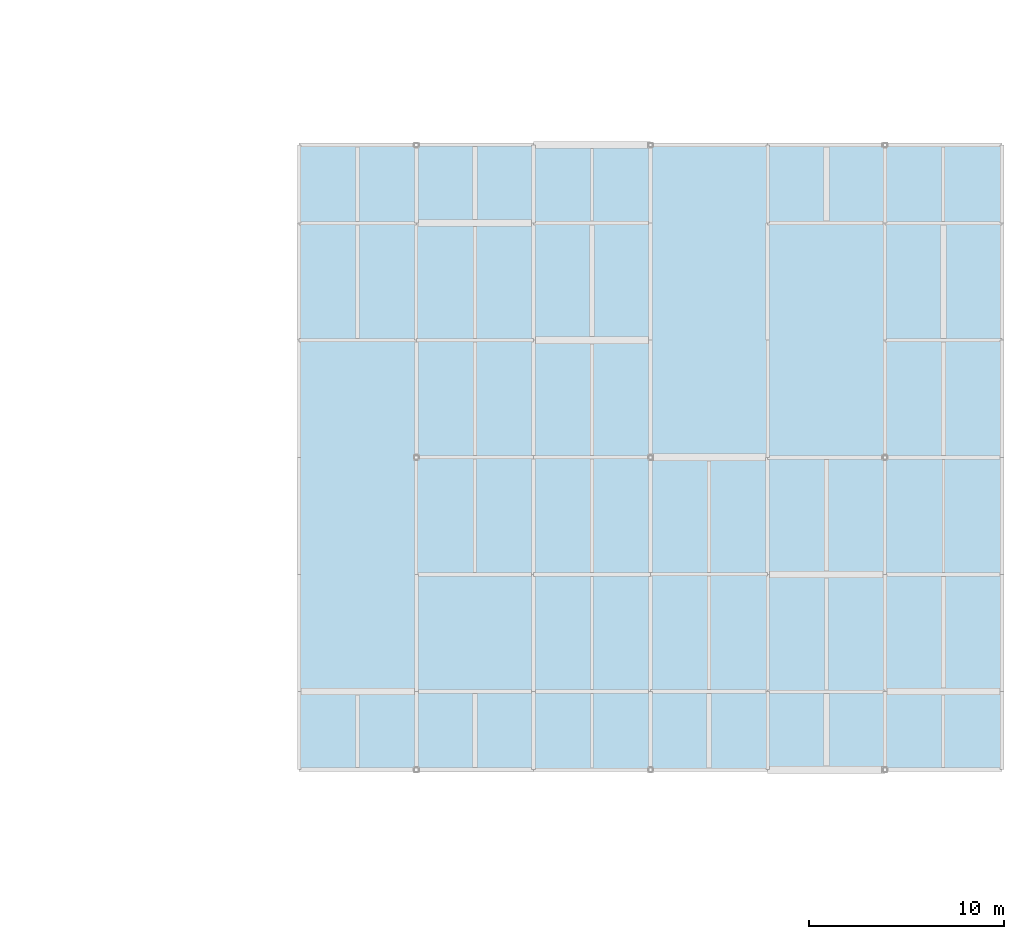
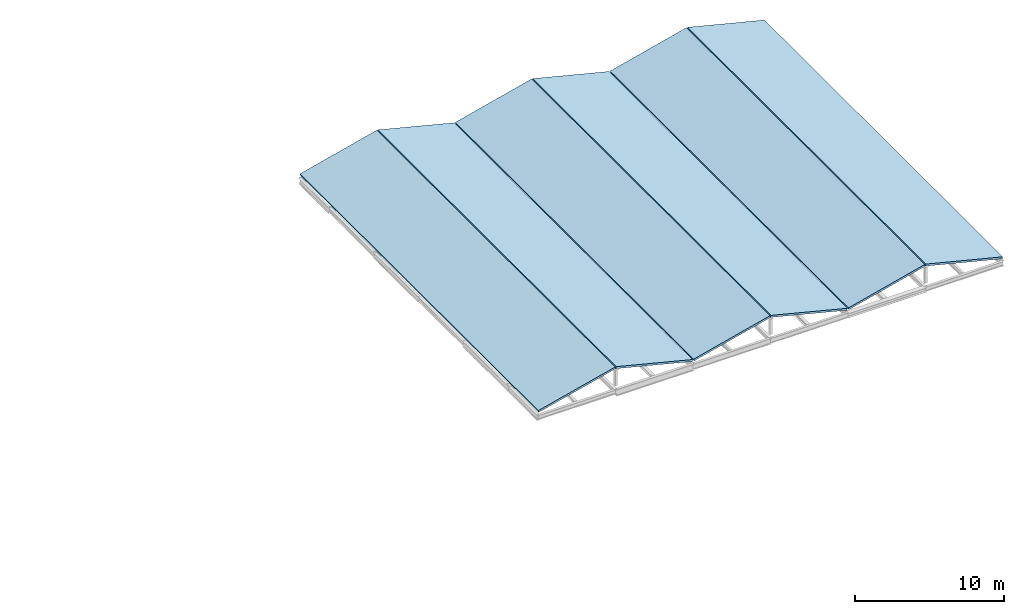
# One storey, part 25 of 35: 6 slabs.
"""IFC4 building model written with IfcOpenShell, lengths in metres."""

from ifc_helpers import new_model, si_unit, direction, frame, origin, place, context, subcontext, project, spatial, polyline, outline, extrude, material, layer, layer_set, type_object, element, save


model = new_model("IFC4")

# Units and contexts
model_context = context("Model", 3, precision=1e-05, world=origin(), true_north=direction((0.0, 1.0)))
body_context = subcontext(model_context, "Body", "Model", "MODEL_VIEW")
ifc_project = project(units=[si_unit("LENGTHUNIT", "METRE"), si_unit("AREAUNIT", "SQUARE_METRE"), si_unit("VOLUMEUNIT", "CUBIC_METRE"), si_unit("PLANEANGLEUNIT", "RADIAN"), si_unit("MASSUNIT", "GRAM", prefix="KILO")], contexts=[model_context])

# Site, building, storey
site_placement = place(None, origin())
site = spatial("IfcSite", under=ifc_project, at=site_placement, CompositionType="ELEMENT")
building_placement = place(site_placement, origin())
building = spatial("IfcBuilding", under=site, at=building_placement, Name="Verrall Gate Interchange", CompositionType="ELEMENT")
storey_placement = place(building_placement, frame((0.0, 0.0, 15.39990234375)))
storey = spatial("IfcBuildingStorey", under=building, at=storey_placement, Name="L04", CompositionType="ELEMENT", Elevation=15.39990234375)

# Slabs
ifc_material = material(Name="Concrete CSA A23.1 40 MPa (Class C-1)", Category="concrete")
ifc_layer = layer(ifc_material, 0.159912109375)
ifc_layer_set = layer_set([ifc_layer], Name="Concrete CSA A23.1 40 MPa (Class C-1)")
slab_type = type_object("IfcSlabType", Name="RS-03 Roof Slab 160", PredefinedType="ROOF", material=ifc_layer_set)
slab_1_placement = place(storey_placement, frame((132.0, 12.0, 0.0), z_axis=(-0.242535625036, 0.0, 0.970142500145), x_axis=(0.970142500145, 0.0, 0.242535625036)))
element("IfcSlab", 1, at=slab_1_placement, inside=storey, type_object=slab_type, Name="Pitched Standing-Seam Roof Slab RF-V5-G1W", PredefinedType="ROOF", context=body_context, shape_type="SweptSolid", body=[
    extrude(outline(polyline([(0.0, 0.0), (6.143387117466939, 0.0), (6.143387117466939, 32.0), (0.0, 32.0), (0.0, 0.0)])), origin(), (0.0, 0.0, -1.0), 0.159912109375),
])
for number, where, z_axis, x_axis, name in (
    (2, (138.0400390625, 12.0, 1.489990234375), (0.244078585721, 0.0, 0.969755455768), (0.969755455768, 0.0, -0.244078585721), "Pitched Standing-Seam Roof Slab RF-V5-G1E"),
    (3, (144.0400390625, 12.0, 0.0), (-0.244078585721, 0.0, 0.969755455768), (0.969755455768, 0.0, 0.244078585721), "Pitched Standing-Seam Roof Slab RF-V5-G2W"),
    (4, (150.0400390625, 12.0, 1.489990234375), (0.244078585721, 0.0, 0.969755455768), (0.969755455768, 0.0, -0.244078585721), "Pitched Standing-Seam Roof Slab RF-V5-G2E"),
    (5, (156.0400390625, 12.0, 0.0), (-0.244078585721, 0.0, 0.969755455768), (0.969755455768, 0.0, 0.244078585721), "Pitched Standing-Seam Roof Slab RF-V5-G3W"),
):
    element("IfcSlab", number, at=place(storey_placement, frame(where, z_axis=z_axis, x_axis=x_axis)), inside=storey, type_object=slab_type, Name=name, PredefinedType="ROOF", context=body_context, shape_type="SweptSolid", body=[
        extrude(outline(polyline([(0.0, 0.0), (6.104551245147868, 0.0), (6.104551245147868, 32.0), (0.0, 32.0), (0.0, 0.0)])), origin(), (0.0, 0.0, -1.0), 0.159912109375),
    ])
slab_2_placement = place(storey_placement, frame((162.0400390625, 12.0, 1.489990234375), z_axis=(0.242535625036, 0.0, 0.970142500145), x_axis=(0.970142500145, 0.0, -0.242535625036)))
element("IfcSlab", 6, at=slab_2_placement, inside=storey, type_object=slab_type, Name="Pitched Standing-Seam Roof Slab RF-V5-G3E", PredefinedType="ROOF", context=body_context, shape_type="SweptSolid", body=[
    extrude(outline(polyline([(0.0, 0.0), (6.143387117466939, 0.0), (6.143387117466939, 32.0), (0.0, 32.0), (0.0, 0.0)])), origin(), (0.0, 0.0, -1.0), 0.159912109375),
])

save(model, "model.ifc")
